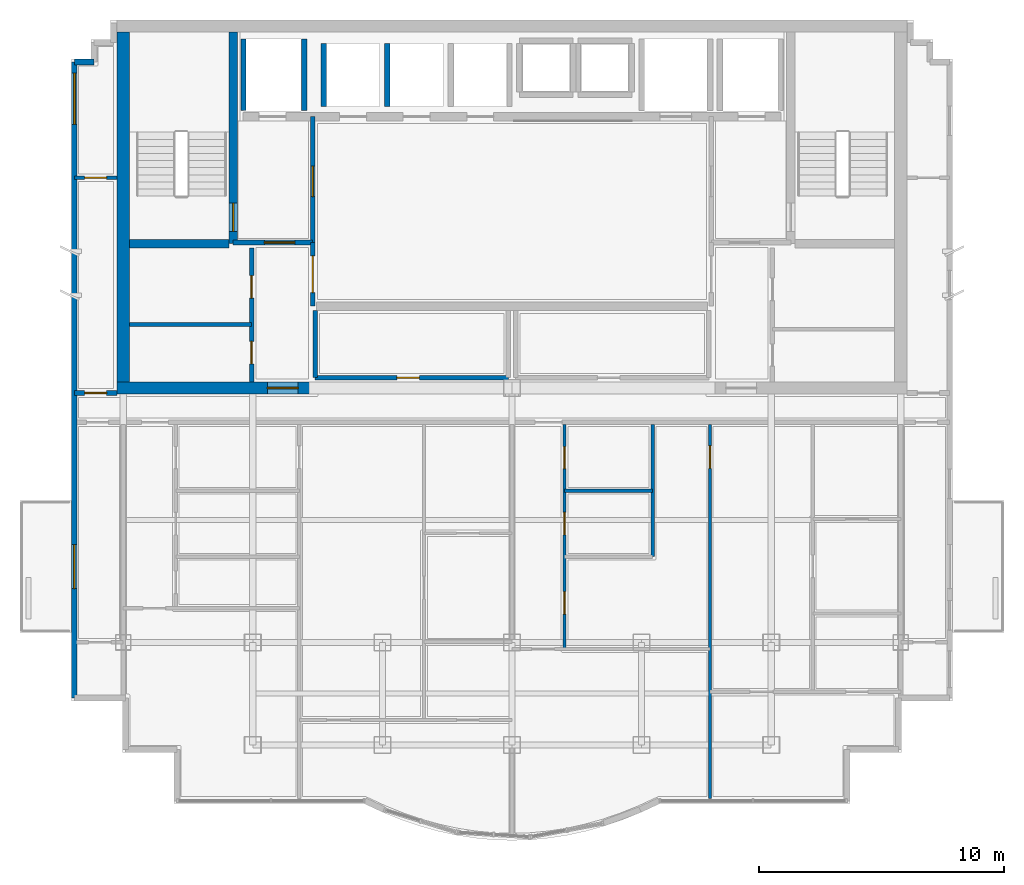
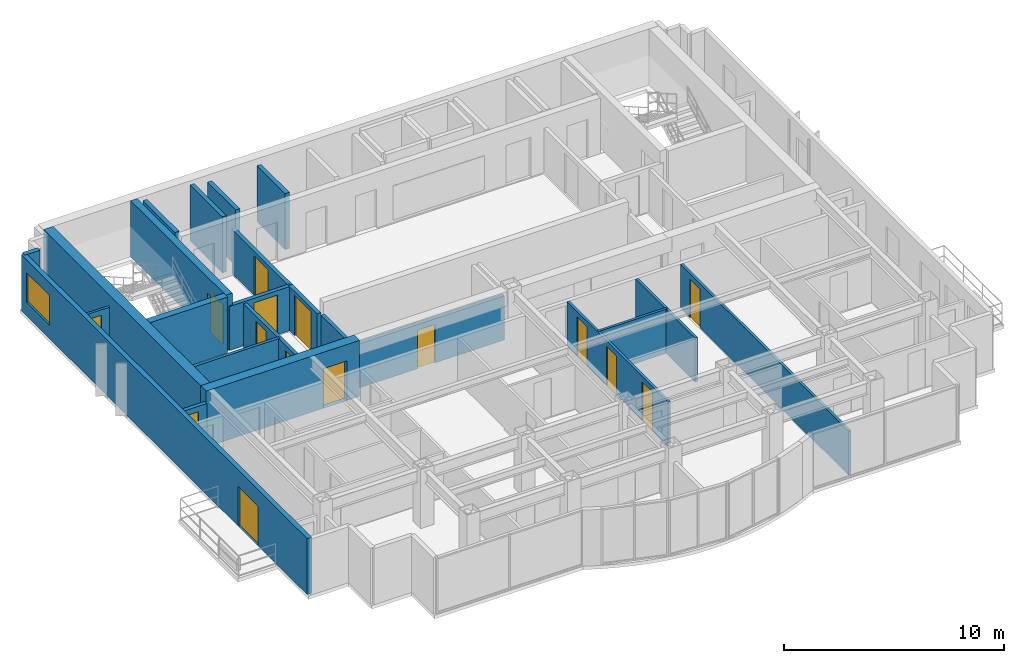
# One storey, part 4 of 9: 23 walls, 15 doors, 1 window, 16 openings.
"""IFC4 building model written with IfcOpenShell, lengths in metres."""

import ifcopenshell
import ifcopenshell.guid

model = None  # the IFC model being written
_history = None  # IfcOwnerHistory: only IFC2X3 demands one
_inside = {}  # id of a spatial element -> (the spatial element, [elements in it])
_under = {}  # id of a project, library or spatial element -> (it, [spatial elements below it])
_declared = {}  # id of a project -> (the project, [libraries it declares])
_typed = {}  # id of a type object -> (the type object, [elements of that type])
_made_of = {}  # id of a material, layer set ... -> (it, [elements and type objects made of it])


def new_model(schema):
    """Start an empty IFC model of exactly this schema.

    Asked for "IFC4X3", IfcOpenShell would pick the latest addendum, in which some entities
    have other attributes; the version numbers below select the first issue.
    IFC2X3 requires an IfcOwnerHistory on every rooted entity: one is made here for all.
    """
    global model, _history
    if schema == "IFC4X3":
        model = ifcopenshell.file(schema_version=(4, 3, 0, 0))
    else:
        model = ifcopenshell.file(schema=schema)
    _inside.clear()
    _under.clear()
    _declared.clear()
    _typed.clear()
    _made_of.clear()
    _history = None
    if model.schema == "IFC2X3":
        org = make("IfcOrganization", Name="unknown")
        user = make(
            "IfcPersonAndOrganization",
            ThePerson=make("IfcPerson", FamilyName="unknown"),
            TheOrganization=org,
        )
        app = make(
            "IfcApplication",
            ApplicationDeveloper=org,
            Version="unknown",
            ApplicationFullName="unknown",
            ApplicationIdentifier="unknown",
        )
        _history = make(
            "IfcOwnerHistory",
            OwningUser=user,
            OwningApplication=app,
            ChangeAction="ADDED",
            CreationDate=0,
        )
    return model


def make(cls, **values):
    """One entity of the class cls with the attributes given. An attribute that is None is left unset."""
    return model.create_entity(
        cls, **{name: value for name, value in values.items() if value is not None}
    )


def rooted(cls, **values):
    """An entity with a GlobalId (a new one), such as an element, a storey or a relation."""
    return make(cls, GlobalId=ifcopenshell.guid.new(), OwnerHistory=_history, **values)


def si_unit(unit_type, name, prefix=None):
    """IfcSIUnit, for example si_unit("LENGTHUNIT", "METRE", prefix="MILLI")."""
    return make("IfcSIUnit", UnitType=unit_type, Prefix=prefix, Name=name)


def assignment(units):
    """IfcUnitAssignment: the units of a project."""
    return None if units is None else make("IfcUnitAssignment", Units=units)


def point(xyz):
    """IfcCartesianPoint."""
    return None if xyz is None else make("IfcCartesianPoint", Coordinates=xyz)


def direction(xyz):
    """IfcDirection."""
    return None if xyz is None else make("IfcDirection", DirectionRatios=xyz)


def frame(location, z_axis=None, x_axis=None):
    """IfcAxis2Placement3D, a coordinate frame: its origin and axes. An axis left out is left unset."""
    return make(
        "IfcAxis2Placement3D",
        Location=point(location),
        Axis=direction(z_axis),
        RefDirection=direction(x_axis),
    )


def frame_2d(location, x_axis=None):
    """IfcAxis2Placement2D, a coordinate frame in the plane: its origin and x axis."""
    return make(
        "IfcAxis2Placement2D", Location=point(location), RefDirection=direction(x_axis)
    )


def origin():
    """The frame at (0, 0, 0) with its axes left unset."""
    return frame((0.0, 0.0, 0.0))


def place(relative_to, where):
    """IfcLocalPlacement: puts the frame where relative to a parent placement (None: the world)."""
    return make(
        "IfcLocalPlacement", PlacementRelTo=relative_to, RelativePlacement=where
    )


def context(
    kind, dimensions, precision=None, world=None, true_north=None, identifier=None
):
    """IfcGeometricRepresentationContext, for example the 3D "Model" context."""
    return make(
        "IfcGeometricRepresentationContext",
        ContextIdentifier=identifier,
        ContextType=kind,
        CoordinateSpaceDimension=dimensions,
        Precision=precision,
        WorldCoordinateSystem=world,
        TrueNorth=true_north,
    )


def subcontext(parent, identifier, kind, view, scale=None):
    """IfcGeometricRepresentationSubContext, for example "Body" below "Model"."""
    return make(
        "IfcGeometricRepresentationSubContext",
        ContextIdentifier=identifier,
        ContextType=kind,
        ParentContext=parent,
        TargetScale=scale,
        TargetView=view,
    )


def project(units=None, contexts=None):
    """IfcProject with its units and contexts."""
    return rooted(
        "IfcProject",
        Name="project",
        RepresentationContexts=contexts,
        UnitsInContext=assignment(units),
    )


def spatial(cls, under=None, at=None, **own):
    """A site, building, storey or space (cls), placed at a placement, below another one or the project."""
    s = rooted(cls, ObjectPlacement=at, **own)
    if under is not None:
        _under.setdefault(under.id(), (under, []))[1].append(s)
    return s


def profile(cls, at=None, kind="AREA", **sizes):
    """A parametric profile (cls). Its sizes go by their IFC names, for example OverallWidth=200.0."""
    return make(cls, ProfileType=kind, Position=at, **sizes)


def rectangle(**sizes):
    """IfcRectangleProfileDef."""
    return profile("IfcRectangleProfileDef", **sizes)


def extrude(swept, where, along, depth):
    """IfcExtrudedAreaSolid: the profile swept, set in the frame where, extruded along a direction by depth."""
    return make(
        "IfcExtrudedAreaSolid",
        SweptArea=swept,
        Position=where,
        ExtrudedDirection=direction(along),
        Depth=depth,
    )


def shape(context_of_items, identifier, shape_type, items):
    """IfcShapeRepresentation: the items that make up one representation, for example the "Body"."""
    return make(
        "IfcShapeRepresentation",
        ContextOfItems=context_of_items,
        RepresentationIdentifier=identifier,
        RepresentationType=shape_type,
        Items=items,
    )


def material(Name=None, Category=None):
    """IfcMaterial."""
    return make("IfcMaterial", Name=Name, Category=Category)


def layer(
    of_material, thickness, ventilated=None, Name=None, Category=None, Priority=None
):
    """IfcMaterialLayer: one layer of a wall or slab, of a material (None: an air gap)."""
    return make(
        "IfcMaterialLayer",
        Material=of_material,
        LayerThickness=thickness,
        IsVentilated=ventilated,
        Name=Name,
        Category=Category,
        Priority=Priority,
    )


def layer_set(layers, Name=None):
    """IfcMaterialLayerSet."""
    return make("IfcMaterialLayerSet", MaterialLayers=layers, LayerSetName=Name)


def made_of(thing, what):
    """Note that an element or type object is made of a material, layer set ...; save() writes the relation."""
    if what is not None:
        _made_of.setdefault(what.id(), (what, []))[1].append(thing)
    return thing


def type_object(cls, material=None, **own):
    """A type object (cls), such as IfcWallType, which elements share."""
    return made_of(rooted(cls, **own), material)


def element(
    cls,
    number,
    at=None,
    inside=None,
    cuts=None,
    type_object=None,
    material=None,
    context=None,
    identifier="Body",
    shape_type=None,
    held_by="IfcProductDefinitionShape",
    body=None,
    shapes=None,
    **own,
):
    """One element of the class cls, such as IfcWall. Its Tag is "e" and its number.

    at: its placement. inside: the storey or other place that contains it. cuts: it is an
    opening in that element (IfcRelVoidsElement). A single representation is given by context,
    identifier, shape_type and body (its items); several are given by shapes. held_by: the class
    of the entity that holds the representations. save() writes the other relations.
    """
    e = rooted(cls, Tag="e%d" % number, ObjectPlacement=at, **own)
    if body is not None:
        shapes = [shape(context, identifier, shape_type, body)]
    if shapes is not None:
        e.Representation = make(held_by, Representations=shapes)
    if inside is not None:
        _inside.setdefault(inside.id(), (inside, []))[1].append(e)
    if cuts is not None:
        rooted(
            "IfcRelVoidsElement", RelatingBuildingElement=cuts, RelatedOpeningElement=e
        )
    if type_object is not None:
        _typed.setdefault(type_object.id(), (type_object, []))[1].append(e)
    return made_of(e, material)


def fill(opening, filler):
    """IfcRelFillsElement: the door or window that sits in an opening."""
    return rooted(
        "IfcRelFillsElement",
        RelatingOpeningElement=opening,
        RelatedBuildingElement=filler,
    )


def aggregate(whole, parts):
    """IfcRelAggregates: a whole, such as a stair, and the parts it consists of."""
    return rooted("IfcRelAggregates", RelatingObject=whole, RelatedObjects=parts)


def save(model, path):
    """Write the relations noted so far, then the file.

    IfcRelAggregates (storeys below a building ...), IfcRelContainedInSpatialStructure (elements
    in a storey), IfcRelDefinesByType, IfcRelAssociatesMaterial and IfcRelDeclares: one each for
    every whole, place, type object, material and project.
    """
    for whole, parts in _under.values():
        aggregate(whole, parts)
    for where, things in _inside.values():
        rooted(
            "IfcRelContainedInSpatialStructure",
            RelatedElements=things,
            RelatingStructure=where,
        )
    for kind, things in _typed.values():
        rooted("IfcRelDefinesByType", RelatedObjects=things, RelatingType=kind)
    for what, things in _made_of.values():
        rooted("IfcRelAssociatesMaterial", RelatedObjects=things, RelatingMaterial=what)
    for by, libraries in _declared.values():
        rooted("IfcRelDeclares", RelatingContext=by, RelatedDefinitions=libraries)
    model.write(path)


model = new_model("IFC4")

# Units and contexts
model_context = context("Model", 3, precision=1e-05, world=origin(), true_north=direction((0.0, 1.0)))
body_context = subcontext(model_context, "Body", "Model", "MODEL_VIEW")
ifc_project = project(units=[si_unit("LENGTHUNIT", "METRE"), si_unit("AREAUNIT", "SQUARE_METRE"), si_unit("VOLUMEUNIT", "CUBIC_METRE"), si_unit("PLANEANGLEUNIT", "RADIAN"), si_unit("MASSUNIT", "GRAM", prefix="KILO")], contexts=[model_context])

# Site, building, storey
site_placement = place(None, origin())
site = spatial("IfcSite", under=ifc_project, at=site_placement, CompositionType="ELEMENT")
building_placement = place(site_placement, origin())
building = spatial("IfcBuilding", under=site, at=building_placement, Name="Qianlan Lanfeng Residences", CompositionType="ELEMENT")
storey_placement = place(building_placement, frame((0.0, 0.0, 249.5)))
storey = spatial("IfcBuildingStorey", under=building, at=storey_placement, Name="L69", CompositionType="ELEMENT", Elevation=249.5)

# Wall, opening, door
ifc_material_1 = material(Name="Concrete C49", Category="concrete")
ifc_layer_1 = layer(ifc_material_1, 0.35009765625)
ifc_layer_set_1 = layer_set([ifc_layer_1], Name="Concrete C49")
wall_type_1 = type_object("IfcWallType", Name="CW-RC-350", PredefinedType="SHEAR", material=ifc_layer_set_1)
wall_1_placement = place(storey_placement, frame((15.10009765625, 31.10009765625, 0.0), z_axis=(0.0, 0.0, 1.0), x_axis=(0.0, 1.0, 0.0)))
wall_1 = element("IfcWall", 1, at=wall_1_placement, inside=storey, type_object=wall_type_1, Name="L69 Core Shear Wall ST1E", PredefinedType="SHEAR", context=body_context, shape_type="SweptSolid", body=[
    extrude(rectangle(XDim=8.64990234375, YDim=0.35009765625, at=frame_2d((4.324951171875, 0.0))), origin(), (0.0, 0.0, 1.0), 3.110107421875),
])
opening_1_placement = place(wall_1_placement, frame((0.510009765625, 0.0, 0.0)))
opening_1 = element("IfcOpeningElement", 2, at=opening_1_placement, cuts=wall_1, Name="Opening L69-D07", PredefinedType="OPENING", context=body_context, shape_type="SweptSolid", body=[
    extrude(rectangle(XDim=1.14990234375, YDim=2.199951171875, at=frame_2d((0.574951171875, 1.10009765625))), frame((0.0, 0.18505859375, 0.0), z_axis=(0.0, -1.0, 0.0), x_axis=(1.0, 0.0, 0.0)), (0.0, 0.0, 1.0), 0.3701171875),
])
ifc_material_2 = material(Name="Painted Galvanised Steel Fire Door", Category="steel")
door_type_1 = type_object("IfcDoorType", Name="DT-ST1", OperationType="NOTDEFINED", PredefinedType="DOOR", material=ifc_material_2)
door_1_placement = place(opening_1_placement, frame((1.14990234375, 0.0, 0.0), z_axis=(0.0, 0.0, 1.0), x_axis=(-1.0, 0.0, 0.0)))
door_1 = element("IfcDoor", 3, at=door_1_placement, inside=storey, type_object=door_type_1, Name="L69 Exit Stair ST-1 Door L69-D07 (DT-ST1)", OperationType="SINGLE_SWING_RIGHT", OverallHeight=2.199951171875, OverallWidth=1.14990234375, PredefinedType="DOOR", context=body_context, shape_type="SweptSolid", body=[
    extrude(rectangle(XDim=1.14990234375, YDim=2.199951171875, at=frame_2d((0.574951171875, 1.10009765625))), frame((0.0, 0.02490234375, 0.0), z_axis=(0.0, -1.0, 0.0), x_axis=(1.0, 0.0, 0.0)), (0.0, 0.0, 1.0), 0.050048828125),
])
fill(opening_1, door_1)

# Walls
wall_2_placement = place(storey_placement, frame((10.85009765625, 31.10009765625, 0.0), z_axis=(0.0, 0.0, 1.0), x_axis=(1.0, 0.0, 0.0)))
element("IfcWall", 4, at=wall_2_placement, inside=storey, type_object=wall_type_1, Name="L69 Core Shear Wall ST1S", PredefinedType="SHEAR", context=body_context, shape_type="SweptSolid", body=[
    extrude(rectangle(XDim=4.074951171875, YDim=0.35009765625, at=frame_2d((2.03759765625, 0.0))), origin(), (0.0, 0.0, 1.0), 3.110107421875),
])
ifc_material_3 = material(Name="Concrete C70", Category="concrete")
ifc_layer_2 = layer(ifc_material_3, 0.5)
ifc_layer_set_2 = layer_set([ifc_layer_2], Name="Concrete C70")
wall_type_2 = type_object("IfcWallType", Name="CW-RC-500", PredefinedType="SHEAR", material=ifc_layer_set_2)
wall_3_placement = place(storey_placement, frame((10.60009765625, 25.449951171875, 0.0), z_axis=(0.0, 0.0, 1.0), x_axis=(0.0, 1.0, 0.0)))
element("IfcWall", 5, at=wall_3_placement, inside=storey, type_object=wall_type_2, Name="L69 Core Shear Wall W", PredefinedType="SHEAR", context=body_context, shape_type="SweptSolid", body=[
    extrude(rectangle(XDim=14.300048828125, YDim=0.5, at=frame_2d((7.14990234375, 0.0))), origin(), (0.0, 0.0, 1.0), 3.110107421875),
])

# Wall, opening, door
wall_4_placement = place(storey_placement, frame((10.35009765625, 25.199951171875, 0.0), z_axis=(0.0, 0.0, 1.0), x_axis=(1.0, 0.0, 0.0)))
wall_4 = element("IfcWall", 6, at=wall_4_placement, inside=storey, type_object=wall_type_2, Name="L69 Core Shear Wall SW", PredefinedType="SHEAR", context=body_context, shape_type="SweptSolid", body=[
    extrude(rectangle(XDim=8.0498046875, YDim=0.5, at=frame_2d((4.02490234375, 0.0))), origin(), (0.0, 0.0, 1.0), 3.110107421875),
])
opening_2_placement = place(wall_4_placement, frame((6.14990234375, 0.0, 0.0)))
opening_2 = element("IfcOpeningElement", 7, at=opening_2_placement, cuts=wall_4, Name="Opening L69-D01", PredefinedType="OPENING", context=body_context, shape_type="SweptSolid", body=[
    extrude(rectangle(XDim=1.25, YDim=2.199951171875, at=frame_2d((0.625, 1.10009765625))), frame((0.0, 0.260009765625, 0.0), z_axis=(0.0, -1.0, 0.0), x_axis=(1.0, 0.0, 0.0)), (0.0, 0.0, 1.0), 0.52001953125),
])
door_type_2 = type_object("IfcDoorType", Name="DT-FFL", OperationType="NOTDEFINED", PredefinedType="DOOR", material=ifc_material_2)
door_2_placement = place(opening_2_placement, frame((1.25, 0.0, 0.0), z_axis=(0.0, 0.0, 1.0), x_axis=(-1.0, 0.0, 0.0)))
door_2 = element("IfcDoor", 8, at=door_2_placement, inside=storey, type_object=door_type_2, Name="L69 West Core Lobby Smoke Door L69-D01 (DT-FFL)", OperationType="SINGLE_SWING_RIGHT", OverallHeight=2.199951171875, OverallWidth=1.25, PredefinedType="DOOR", context=body_context, shape_type="SweptSolid", body=[
    extrude(rectangle(XDim=1.25, YDim=2.199951171875, at=frame_2d((0.625, 1.10009765625))), frame((0.0, 0.02490234375, 0.0), z_axis=(0.0, -1.0, 0.0), x_axis=(1.0, 0.0, 0.0)), (0.0, 0.0, 1.0), 0.050048828125),
])
fill(opening_2, door_2)

# Wall
ifc_material_4 = material(Name="Concrete C42", Category="concrete")
ifc_layer_3 = layer(ifc_material_4, 0.239990234375)
ifc_layer_set_3 = layer_set([ifc_layer_3], Name="Concrete C42")
wall_type_3 = type_object("IfcWallType", Name="EW-240", PredefinedType="SOLIDWALL", material=ifc_layer_set_3)
wall_5_placement = place(storey_placement, frame((9.39990234375, 38.530029296875, 0.0), z_axis=(0.0, 0.0, 1.0), x_axis=(-1.0, 0.0, 0.0)))
element("IfcWall", 9, at=wall_5_placement, inside=storey, type_object=wall_type_3, Name="L69 Exterior Facade Spandrel Wall 20", PredefinedType="SOLIDWALL", context=body_context, shape_type="SweptSolid", body=[
    extrude(rectangle(XDim=0.7998046875, YDim=0.239990234375, at=frame_2d((0.39990234375, 0.0))), origin(), (0.0, 0.0, 1.0), 3.110107421875),
])

# Wall, openings, door, window
wall_6_placement = place(storey_placement, frame((8.60009765625, 38.530029296875, 0.0), z_axis=(0.0, 0.0, 1.0), x_axis=(0.0, -1.0, 0.0)))
wall_6 = element("IfcWall", 10, at=wall_6_placement, inside=storey, type_object=wall_type_3, Name="L69 Terrace/Balcony Access Exterior Wall 21", PredefinedType="SOLIDWALL", context=body_context, shape_type="SweptSolid", body=[
    extrude(rectangle(XDim=26.010009765625, YDim=0.239990234375, at=frame_2d((13.0048828125, 0.0))), origin(), (0.0, 0.0, 1.0), 3.110107421875),
])
opening_3_placement = place(wall_6_placement, frame((19.72998046875, 0.0, 0.0)))
opening_3 = element("IfcOpeningElement", 11, at=opening_3_placement, cuts=wall_6, Name="Opening L69-D-WB-S", PredefinedType="OPENING", context=body_context, shape_type="SweptSolid", body=[
    extrude(rectangle(XDim=1.800048828125, YDim=2.199951171875, at=frame_2d((0.89990234375, 1.10009765625))), frame((0.0, 0.1298828125, 0.0), z_axis=(0.0, -1.0, 0.0), x_axis=(1.0, 0.0, 0.0)), (0.0, 0.0, 1.0), 0.260009765625),
])
opening_4_placement = place(wall_6_placement, frame((0.449951171875, 0.0, 0.75)))
opening_4 = element("IfcOpeningElement", 12, at=opening_4_placement, cuts=wall_6, Name="Opening W-06", PredefinedType="OPENING", context=body_context, shape_type="SweptSolid", body=[
    extrude(rectangle(XDim=2.10009765625, YDim=1.64990234375, at=frame_2d((1.050048828125, 0.824951171875))), frame((0.0, 0.1298828125, 0.0), z_axis=(0.0, -1.0, 0.0), x_axis=(1.0, 0.0, 0.0)), (0.0, 0.0, 1.0), 0.260009765625),
])
ifc_material_5 = material(Name="Anodised Bronze Aluminium Framed Glass", Category="aluminium")
door_type_3 = type_object("IfcDoorType", Name="DT-BAL1", OperationType="NOTDEFINED", PredefinedType="DOOR", material=ifc_material_5)
door_3_placement = place(opening_3_placement, frame((1.800048828125, 0.0, 0.0), z_axis=(0.0, 0.0, 1.0), x_axis=(-1.0, 0.0, 0.0)))
door_3 = element("IfcDoor", 13, at=door_3_placement, inside=storey, type_object=door_type_3, Name="L69 Exterior Access Door WB-S", OperationType="DOUBLE_DOOR_SLIDING", OverallHeight=2.199951171875, OverallWidth=1.800048828125, PredefinedType="DOOR", context=body_context, shape_type="SweptSolid", body=[
    extrude(rectangle(XDim=1.800048828125, YDim=2.199951171875, at=frame_2d((0.89990234375, 1.10009765625))), frame((0.0, 0.02490234375, 0.0), z_axis=(0.0, -1.0, 0.0), x_axis=(1.0, 0.0, 0.0)), (0.0, 0.0, 1.0), 0.050048828125),
])
fill(opening_3, door_3)
ifc_material_6 = material(Name="Anodised Bronze Aluminium Framed Double Glazing", Category="aluminium")
window_type = type_object("IfcWindowType", Name="W-06", PartitioningType="SINGLE_PANEL", PredefinedType="WINDOW", material=ifc_material_6)
window_placement = place(opening_4_placement, origin())
window = element("IfcWindow", 14, at=window_placement, inside=storey, type_object=window_type, Name="L69 Exterior Window W-06", OverallHeight=1.64990234375, OverallWidth=2.10009765625, PartitioningType="SINGLE_PANEL", PredefinedType="WINDOW", context=body_context, shape_type="SweptSolid", body=[
    extrude(rectangle(XDim=2.10009765625, YDim=1.64990234375, at=frame_2d((1.050048828125, 0.824951171875))), frame((0.0, 0.030029296875, 0.0), z_axis=(0.0, -1.0, 0.0), x_axis=(1.0, 0.0, 0.0)), (0.0, 0.0, 1.0), 0.06005859375),
])
fill(opening_4, window)

# Wall, opening, door
ifc_material_7 = material(Name="Moisture-Resistant Gypsum Partition 135 mm")
ifc_layer_4 = layer(ifc_material_7, 0.135009765625)
ifc_layer_set_4 = layer_set([ifc_layer_4], Name="Moisture-Resistant Gypsum Partition 135 mm")
wall_type_4 = type_object("IfcWallType", Name="PW-135", PredefinedType="PARTITIONING", material=ifc_layer_set_4)
wall_7_placement = place(storey_placement, frame((34.60009765625, 8.419921875, 0.0), z_axis=(0.0, 0.0, 1.0), x_axis=(0.0, 1.0, 0.0)))
wall_7 = element("IfcWall", 15, at=wall_7_placement, inside=storey, type_object=wall_type_4, Name="L69 U02 Bay Spine Wall 1", PredefinedType="PARTITIONING", context=body_context, shape_type="SweptSolid", body=[
    extrude(rectangle(XDim=15.280029296875, YDim=0.135009765625, at=frame_2d((7.64013671875, 0.0))), origin(), (0.0, 0.0, 1.0), 2.449951171875),
])
opening_5_placement = place(wall_7_placement, frame((13.4951171875, 0.0, 0.0)))
opening_5 = element("IfcOpeningElement", 16, at=opening_5_placement, cuts=wall_7, Name="Opening L69-D28", PredefinedType="OPENING", context=body_context, shape_type="SweptSolid", body=[
    extrude(rectangle(XDim=0.919921875, YDim=2.14990234375, at=frame_2d((0.4599609375, 1.074951171875))), frame((0.0, 0.07763671875, 0.0), z_axis=(0.0, -1.0, 0.0), x_axis=(1.0, 0.0, 0.0)), (0.0, 0.0, 1.0), 0.155029296875),
])
ifc_material_8 = material(Name="Glazed Timber Kitchen/Study Door", Category="wood")
door_type_4 = type_object("IfcDoorType", Name="DT-INT", OperationType="NOTDEFINED", PredefinedType="DOOR", material=ifc_material_8)
door_4_placement = place(opening_5_placement, origin())
door_4 = element("IfcDoor", 17, at=door_4_placement, inside=storey, type_object=door_type_4, Name="L69 U02 Internal Hall Door L69-D28 (DT-INT)", OperationType="SINGLE_SWING_RIGHT", OverallHeight=2.14990234375, OverallWidth=0.919921875, PredefinedType="DOOR", context=body_context, shape_type="SweptSolid", body=[
    extrude(rectangle(XDim=0.919921875, YDim=2.14990234375, at=frame_2d((0.4599609375, 1.074951171875))), frame((0.0, 0.02490234375, 0.0), z_axis=(0.0, -1.0, 0.0), x_axis=(1.0, 0.0, 0.0)), (0.0, 0.0, 1.0), 0.050048828125),
])
fill(opening_5, door_4)

# Wall, openings, doors
wall_8_placement = place(storey_placement, frame((28.64990234375, 14.52587890625, 0.0), z_axis=(0.0, 0.0, 1.0), x_axis=(0.0, 1.0, 0.0)))
wall_8 = element("IfcWall", 18, at=wall_8_placement, inside=storey, type_object=wall_type_4, Name="L69 U02 Entry Hall Spine", PredefinedType="PARTITIONING", context=body_context, shape_type="SweptSolid", body=[
    extrude(rectangle(XDim=9.174072265625, YDim=0.135009765625, at=frame_2d((4.5869140625, 0.0))), origin(), (0.0, 0.0, 1.0), 2.449951171875),
])
opening_6_placement = place(wall_8_placement, frame((1.427001953125, 0.0, 0.0)))
opening_6 = element("IfcOpeningElement", 19, at=opening_6_placement, cuts=wall_8, Name="Opening L69-D30", PredefinedType="OPENING", context=body_context, shape_type="SweptSolid", body=[
    extrude(rectangle(XDim=0.919921875, YDim=2.14990234375, at=frame_2d((0.4599609375, 1.074951171875))), frame((0.0, 0.07763671875, 0.0), z_axis=(0.0, -1.0, 0.0), x_axis=(1.0, 0.0, 0.0)), (0.0, 0.0, 1.0), 0.155029296875),
])
opening_7_placement = place(wall_8_placement, frame((4.6640625, 0.0, 0.0)))
opening_7 = element("IfcOpeningElement", 20, at=opening_7_placement, cuts=wall_8, Name="Opening L69-D31", PredefinedType="OPENING", context=body_context, shape_type="SweptSolid", body=[
    extrude(rectangle(XDim=0.919921875, YDim=2.14990234375, at=frame_2d((0.4599609375, 1.074951171875))), frame((0.0, 0.07763671875, 0.0), z_axis=(0.0, -1.0, 0.0), x_axis=(1.0, 0.0, 0.0)), (0.0, 0.0, 1.0), 0.155029296875),
])
opening_8_placement = place(wall_8_placement, frame((7.3740234375, 0.0, 0.0)))
opening_8 = element("IfcOpeningElement", 21, at=opening_8_placement, cuts=wall_8, Name="Opening L69-D32", PredefinedType="OPENING", context=body_context, shape_type="SweptSolid", body=[
    extrude(rectangle(XDim=0.89990234375, YDim=2.14990234375, at=frame_2d((0.449951171875, 1.074951171875))), frame((0.0, 0.07763671875, 0.0), z_axis=(0.0, -1.0, 0.0), x_axis=(1.0, 0.0, 0.0)), (0.0, 0.0, 1.0), 0.155029296875),
])
door_5_placement = place(opening_6_placement, origin())
door_5 = element("IfcDoor", 22, at=door_5_placement, inside=storey, type_object=door_type_4, Name="L69 U02 Study Door L69-D30 (DT-INT)", OperationType="SINGLE_SWING_RIGHT", OverallHeight=2.14990234375, OverallWidth=0.919921875, PredefinedType="DOOR", context=body_context, shape_type="SweptSolid", body=[
    extrude(rectangle(XDim=0.919921875, YDim=2.14990234375, at=frame_2d((0.4599609375, 1.074951171875))), frame((0.0, 0.02490234375, 0.0), z_axis=(0.0, -1.0, 0.0), x_axis=(1.0, 0.0, 0.0)), (0.0, 0.0, 1.0), 0.050048828125),
])
fill(opening_6, door_5)
door_6_placement = place(opening_7_placement, origin())
door_6 = element("IfcDoor", 23, at=door_6_placement, inside=storey, type_object=door_type_4, Name="L69 U02 Kitchen Door L69-D31 (DT-INT)", OperationType="SINGLE_SWING_LEFT", OverallHeight=2.14990234375, OverallWidth=0.919921875, PredefinedType="DOOR", context=body_context, shape_type="SweptSolid", body=[
    extrude(rectangle(XDim=0.919921875, YDim=2.14990234375, at=frame_2d((0.4599609375, 1.074951171875))), frame((0.0, 0.02490234375, 0.0), z_axis=(0.0, -1.0, 0.0), x_axis=(1.0, 0.0, 0.0)), (0.0, 0.0, 1.0), 0.050048828125),
])
fill(opening_7, door_6)
ifc_material_9 = material(Name="Moisture-Resistant Timber Leaf", Category="wood")
door_type_5 = type_object("IfcDoorType", Name="DT-WC", OperationType="NOTDEFINED", PredefinedType="DOOR", material=ifc_material_9)
door_7_placement = place(opening_8_placement, origin())
door_7 = element("IfcDoor", 24, at=door_7_placement, inside=storey, type_object=door_type_5, Name="L69 U02 Bathroom Door L69-D32 (DT-WC)", OperationType="SINGLE_SWING_RIGHT", OverallHeight=2.14990234375, OverallWidth=0.89990234375, PredefinedType="DOOR", context=body_context, shape_type="SweptSolid", body=[
    extrude(rectangle(XDim=0.89990234375, YDim=2.14990234375, at=frame_2d((0.449951171875, 1.074951171875))), frame((0.0, 0.02490234375, 0.0), z_axis=(0.0, -1.0, 0.0), x_axis=(1.0, 0.0, 0.0)), (0.0, 0.0, 1.0), 0.050048828125),
])
fill(opening_8, door_7)

# Walls
wall_9_placement = place(storey_placement, frame((32.25, 18.300048828125, 0.0), z_axis=(0.0, 0.0, 1.0), x_axis=(0.0, 1.0, 0.0)))
element("IfcWall", 25, at=wall_9_placement, inside=storey, type_object=wall_type_4, Name="L69 U02 Dining East Wall", PredefinedType="PARTITIONING", context=body_context, shape_type="SweptSolid", body=[
    extrude(rectangle(XDim=5.39990234375, YDim=0.135009765625, at=frame_2d((2.699951171875, 0.0))), origin(), (0.0, 0.0, 1.0), 2.449951171875),
])
wall_10_placement = place(storey_placement, frame((28.64990234375, 21.0, 0.0), z_axis=(0.0, 0.0, 1.0), x_axis=(1.0, 0.0, 0.0)))
element("IfcWall", 26, at=wall_10_placement, inside=storey, type_object=wall_type_4, Name="L69 U02 Bathroom South Wall", PredefinedType="PARTITIONING", context=body_context, shape_type="SweptSolid", body=[
    extrude(rectangle(XDim=3.60009765625, YDim=0.135009765625, at=frame_2d((1.800048828125, 0.0))), origin(), (0.0, 0.0, 1.0), 2.449951171875),
])

# Wall, opening, door
wall_11_placement = place(storey_placement, frame((8.60009765625, 33.800048828125, 0.0), z_axis=(0.0, 0.0, 1.0), x_axis=(1.0, 0.0, 0.0)))
wall_11 = element("IfcWall", 27, at=wall_11_placement, inside=storey, type_object=wall_type_4, Name="L69 WW North Wing Wall", PredefinedType="PARTITIONING", context=body_context, shape_type="SweptSolid", body=[
    extrude(rectangle(XDim=1.75, YDim=0.135009765625, at=frame_2d((0.875, 0.0))), origin(), (0.0, 0.0, 1.0), 2.449951171875),
])
opening_9_placement = place(wall_11_placement, frame((0.425048828125, 0.0, 0.0)))
opening_9 = element("IfcOpeningElement", 28, at=opening_9_placement, cuts=wall_11, Name="Opening L69-D41", PredefinedType="OPENING", context=body_context, shape_type="SweptSolid", body=[
    extrude(rectangle(XDim=0.89990234375, YDim=2.14990234375, at=frame_2d((0.449951171875, 1.074951171875))), frame((0.0, 0.07763671875, 0.0), z_axis=(0.0, -1.0, 0.0), x_axis=(1.0, 0.0, 0.0)), (0.0, 0.0, 1.0), 0.155029296875),
])
door_8_placement = place(opening_9_placement, origin())
door_8 = element("IfcDoor", 29, at=door_8_placement, inside=storey, type_object=door_type_5, Name="L69 WW Inner Salon Door L69-D41 (DT-WC)", OperationType="SINGLE_SWING_LEFT", OverallHeight=2.14990234375, OverallWidth=0.89990234375, PredefinedType="DOOR", context=body_context, shape_type="SweptSolid", body=[
    extrude(rectangle(XDim=0.89990234375, YDim=2.14990234375, at=frame_2d((0.449951171875, 1.074951171875))), frame((0.0, 0.02490234375, 0.0), z_axis=(0.0, -1.0, 0.0), x_axis=(1.0, 0.0, 0.0)), (0.0, 0.0, 1.0), 0.050048828125),
])
fill(opening_9, door_8)

# Wall
ifc_material_10 = material(Name="Acoustic Drywall Partition 150 mm")
ifc_layer_5 = layer(ifc_material_10, 0.14990234375)
ifc_layer_set_5 = layer_set([ifc_layer_5], Name="Acoustic Drywall Partition 150 mm")
wall_type_5 = type_object("IfcWallType", Name="PW-150", PredefinedType="PARTITIONING", material=ifc_layer_set_5)
wall_12_placement = place(storey_placement, frame((10.85009765625, 27.800048828125, 0.0), z_axis=(0.0, 0.0, 1.0), x_axis=(1.0, 0.0, 0.0)))
element("IfcWall", 30, at=wall_12_placement, inside=storey, type_object=wall_type_5, Name="L69 Core West Split", PredefinedType="PARTITIONING", context=body_context, shape_type="SweptSolid", body=[
    extrude(rectangle(XDim=5.0, YDim=0.14990234375, at=frame_2d((2.5, 0.0))), origin(), (0.0, 0.0, 1.0), 2.449951171875),
])

# Wall, openings, doors
ifc_material_11 = material(Name="Double-Layer Acoustic Gypsum Stud Wall 180 mm")
ifc_layer_6 = layer(ifc_material_11, 0.179931640625)
ifc_layer_set_6 = layer_set([ifc_layer_6], Name="Double-Layer Acoustic Gypsum Stud Wall 180 mm")
wall_type_6 = type_object("IfcWallType", Name="PW-180", PredefinedType="PARTITIONING", material=ifc_layer_set_6)
wall_13_placement = place(storey_placement, frame((15.85009765625, 25.449951171875, 0.0), z_axis=(0.0, 0.0, 1.0), x_axis=(0.0, 1.0, 0.0)))
wall_13 = element("IfcWall", 31, at=wall_13_placement, inside=storey, type_object=wall_type_6, Name="L69 Core West Service Room Wall", PredefinedType="PARTITIONING", context=body_context, shape_type="SweptSolid", body=[
    extrude(rectangle(XDim=5.47509765625, YDim=0.179931640625, at=frame_2d((2.737548828125, 0.0))), origin(), (0.0, 0.0, 1.0), 2.449951171875),
])
opening_10_placement = place(wall_13_placement, frame((0.739990234375, 0.0, 0.0)))
opening_10 = element("IfcOpeningElement", 32, at=opening_10_placement, cuts=wall_13, Name="Opening L69-D09", PredefinedType="OPENING", context=body_context, shape_type="SweptSolid", body=[
    extrude(rectangle(XDim=0.919921875, YDim=2.14990234375, at=frame_2d((0.4599609375, 1.074951171875))), frame((0.0, 0.10009765625, 0.0), z_axis=(0.0, -1.0, 0.0), x_axis=(1.0, 0.0, 0.0)), (0.0, 0.0, 1.0), 0.199951171875),
])
opening_11_placement = place(wall_13_placement, frame((3.427001953125, 0.0, 0.0)))
opening_11 = element("IfcOpeningElement", 33, at=opening_11_placement, cuts=wall_13, Name="Opening L69-D10", PredefinedType="OPENING", context=body_context, shape_type="SweptSolid", body=[
    extrude(rectangle(XDim=0.919921875, YDim=2.14990234375, at=frame_2d((0.4599609375, 1.074951171875))), frame((0.0, 0.10009765625, 0.0), z_axis=(0.0, -1.0, 0.0), x_axis=(1.0, 0.0, 0.0)), (0.0, 0.0, 1.0), 0.199951171875),
])
door_9_placement = place(opening_10_placement, origin())
door_9 = element("IfcDoor", 34, at=door_9_placement, inside=storey, type_object=door_type_4, Name="L69 Parcel Room Door L69-D09 (DT-INT)", OperationType="SINGLE_SWING_LEFT", OverallHeight=2.14990234375, OverallWidth=0.919921875, PredefinedType="DOOR", context=body_context, shape_type="SweptSolid", body=[
    extrude(rectangle(XDim=0.919921875, YDim=2.14990234375, at=frame_2d((0.4599609375, 1.074951171875))), frame((0.0, 0.02490234375, 0.0), z_axis=(0.0, -1.0, 0.0), x_axis=(1.0, 0.0, 0.0)), (0.0, 0.0, 1.0), 0.050048828125),
])
fill(opening_10, door_9)
door_10_placement = place(opening_11_placement, origin())
door_10 = element("IfcDoor", 35, at=door_10_placement, inside=storey, type_object=door_type_4, Name="L69 Janitor Closet Door L69-D10 (DT-INT)", OperationType="SINGLE_SWING_RIGHT", OverallHeight=2.14990234375, OverallWidth=0.919921875, PredefinedType="DOOR", context=body_context, shape_type="SweptSolid", body=[
    extrude(rectangle(XDim=0.919921875, YDim=2.14990234375, at=frame_2d((0.4599609375, 1.074951171875))), frame((0.0, 0.02490234375, 0.0), z_axis=(0.0, -1.0, 0.0), x_axis=(1.0, 0.0, 0.0)), (0.0, 0.0, 1.0), 0.050048828125),
])
fill(opening_11, door_10)

# Wall
wall_14_placement = place(storey_placement, frame((18.449951171875, 25.6201171875, 0.0), z_axis=(0.0, 0.0, 1.0), x_axis=(0.0, 1.0, 0.0)))
element("IfcWall", 36, at=wall_14_placement, inside=storey, type_object=wall_type_6, Name="L69 Reclaimed Low-Bank Room West Wall", PredefinedType="PARTITIONING", context=body_context, shape_type="SweptSolid", body=[
    extrude(rectangle(XDim=2.7548828125, YDim=0.179931640625, at=frame_2d((1.37744140625, 0.0))), origin(), (0.0, 0.0, 1.0), 2.449951171875),
])

# Wall, opening, door
wall_15_placement = place(storey_placement, frame((18.449951171875, 25.6201171875, 0.0), z_axis=(0.0, 0.0, 1.0), x_axis=(1.0, 0.0, 0.0)))
wall_15 = element("IfcWall", 37, at=wall_15_placement, inside=storey, type_object=wall_type_6, Name="L69 Reclaimed Low-Bank Room South Wall", PredefinedType="PARTITIONING", context=body_context, shape_type="SweptSolid", body=[
    extrude(rectangle(XDim=7.900146484375, YDim=0.179931640625, at=frame_2d((3.9501953125, 0.0))), origin(), (0.0, 0.0, 1.0), 2.449951171875),
])
opening_12_placement = place(wall_15_placement, frame((3.340087890625, 0.0, 0.0)))
opening_12 = element("IfcOpeningElement", 38, at=opening_12_placement, cuts=wall_15, Name="Opening L69-D15", PredefinedType="OPENING", context=body_context, shape_type="SweptSolid", body=[
    extrude(rectangle(XDim=0.919921875, YDim=2.14990234375, at=frame_2d((0.4599609375, 1.074951171875))), frame((0.0, 0.10009765625, 0.0), z_axis=(0.0, -1.0, 0.0), x_axis=(1.0, 0.0, 0.0)), (0.0, 0.0, 1.0), 0.199951171875),
])
door_11_placement = place(opening_12_placement, origin())
door_11 = element("IfcDoor", 39, at=door_11_placement, inside=storey, type_object=door_type_4, Name="L69 Reclaimed Core Salon Door L69-D15 (DT-INT)", OperationType="SINGLE_SWING_LEFT", OverallHeight=2.14990234375, OverallWidth=0.919921875, PredefinedType="DOOR", context=body_context, shape_type="SweptSolid", body=[
    extrude(rectangle(XDim=0.919921875, YDim=2.14990234375, at=frame_2d((0.4599609375, 1.074951171875))), frame((0.0, 0.02490234375, 0.0), z_axis=(0.0, -1.0, 0.0), x_axis=(1.0, 0.0, 0.0)), (0.0, 0.0, 1.0), 0.050048828125),
])
fill(opening_12, door_11)

ifc_material_12 = material(Name="Autoclaved Aerated Concrete Blockwork 200 mm", Category="masonry")
ifc_layer_7 = layer(ifc_material_12, 0.199951171875)
ifc_layer_set_7 = layer_set([ifc_layer_7], Name="Autoclaved Aerated Concrete Blockwork 200 mm")
wall_type_7 = type_object("IfcWallType", Name="PW-200", PredefinedType="PARTITIONING", material=ifc_layer_set_7)
wall_16_placement = place(storey_placement, frame((15.10009765625, 31.14990234375, 0.0), z_axis=(0.0, 0.0, 1.0), x_axis=(1.0, 0.0, 0.0)))
wall_16 = element("IfcWall", 40, at=wall_16_placement, inside=storey, type_object=wall_type_7, Name="L69 Firefighting Lobby 1 South Wall", PredefinedType="PARTITIONING", context=body_context, shape_type="SweptSolid", body=[
    extrude(rectangle(XDim=3.25, YDim=0.199951171875, at=frame_2d((1.625, 0.0))), origin(), (0.0, 0.0, 1.0), 2.449951171875),
])
opening_13_placement = place(wall_16_placement, frame((1.27490234375, 0.0, 0.0)))
opening_13 = element("IfcOpeningElement", 41, at=opening_13_placement, cuts=wall_16, Name="Opening L69-D03", PredefinedType="OPENING", context=body_context, shape_type="SweptSolid", body=[
    extrude(rectangle(XDim=1.25, YDim=2.199951171875, at=frame_2d((0.625, 1.10009765625))), frame((0.0, 0.10986328125, 0.0), z_axis=(0.0, -1.0, 0.0), x_axis=(1.0, 0.0, 0.0)), (0.0, 0.0, 1.0), 0.219970703125),
])
door_12_placement = place(opening_13_placement, origin())
door_12 = element("IfcDoor", 42, at=door_12_placement, inside=storey, type_object=door_type_2, Name="L69 Firefighting Lobby 1 Entry Door L69-D03 (DT-FFL)", OperationType="SINGLE_SWING_LEFT", OverallHeight=2.199951171875, OverallWidth=1.25, PredefinedType="DOOR", context=body_context, shape_type="SweptSolid", body=[
    extrude(rectangle(XDim=1.25, YDim=2.199951171875, at=frame_2d((0.625, 1.10009765625))), frame((0.0, 0.02490234375, 0.0), z_axis=(0.0, -1.0, 0.0), x_axis=(1.0, 0.0, 0.0)), (0.0, 0.0, 1.0), 0.050048828125),
])
fill(opening_13, door_12)

wall_17_placement = place(storey_placement, frame((18.35009765625, 31.14990234375, 0.0), z_axis=(0.0, 0.0, 1.0), x_axis=(0.0, 1.0, 0.0)))
wall_17 = element("IfcWall", 43, at=wall_17_placement, inside=storey, type_object=wall_type_7, Name="L69 Firefighting Lobby 1 East Wall", PredefinedType="PARTITIONING", context=body_context, shape_type="SweptSolid", body=[
    extrude(rectangle(XDim=5.150146484375, YDim=0.199951171875, at=frame_2d((2.5751953125, 0.0))), origin(), (0.0, 0.0, 1.0), 2.449951171875),
])
opening_14_placement = place(wall_17_placement, frame((1.875, 0.0, 0.0)))
opening_14 = element("IfcOpeningElement", 44, at=opening_14_placement, cuts=wall_17, Name="Opening L69-D04", PredefinedType="OPENING", context=body_context, shape_type="SweptSolid", body=[
    extrude(rectangle(XDim=1.25, YDim=2.199951171875, at=frame_2d((0.625, 1.10009765625))), frame((0.0, 0.10986328125, 0.0), z_axis=(0.0, -1.0, 0.0), x_axis=(1.0, 0.0, 0.0)), (0.0, 0.0, 1.0), 0.219970703125),
])
door_13_placement = place(opening_14_placement, origin())
door_13 = element("IfcDoor", 45, at=door_13_placement, inside=storey, type_object=door_type_2, Name="L69 Firefighting Lobby 1 Lift Lobby Door L69-D04 (DT-FFL)", OperationType="SINGLE_SWING_RIGHT", OverallHeight=2.199951171875, OverallWidth=1.25, PredefinedType="DOOR", context=body_context, shape_type="SweptSolid", body=[
    extrude(rectangle(XDim=1.25, YDim=2.199951171875, at=frame_2d((0.625, 1.10009765625))), frame((0.0, 0.02490234375, 0.0), z_axis=(0.0, -1.0, 0.0), x_axis=(1.0, 0.0, 0.0)), (0.0, 0.0, 1.0), 0.050048828125),
])
fill(opening_14, door_13)

wall_18_placement = place(storey_placement, frame((18.35009765625, 28.550048828125, 0.0), z_axis=(0.0, 0.0, 1.0), x_axis=(0.0, 1.0, 0.0)))
wall_18 = element("IfcWall", 46, at=wall_18_placement, inside=storey, type_object=wall_type_7, Name="L69 Lift Lobby West Connector Wall", PredefinedType="PARTITIONING", context=body_context, shape_type="SweptSolid", body=[
    extrude(rectangle(XDim=2.599853515625, YDim=0.199951171875, at=frame_2d((1.2998046875, 0.0))), origin(), (0.0, 0.0, 1.0), 2.449951171875),
])
opening_15_placement = place(wall_18_placement, frame((0.550048828125, 0.0, 0.0)))
opening_15 = element("IfcOpeningElement", 47, at=opening_15_placement, cuts=wall_18, Name="Opening L69-D13", PredefinedType="OPENING", context=body_context, shape_type="SweptSolid", body=[
    extrude(rectangle(XDim=1.5, YDim=2.25, at=frame_2d((0.75, 1.125))), frame((0.0, 0.10986328125, 0.0), z_axis=(0.0, -1.0, 0.0), x_axis=(1.0, 0.0, 0.0)), (0.0, 0.0, 1.0), 0.219970703125),
])
ifc_material_13 = material(Name="Timber Veneer Acoustic Fire Door", Category="wood")
door_type_6 = type_object("IfcDoorType", Name="DT-COR1", OperationType="NOTDEFINED", PredefinedType="DOOR", material=ifc_material_13)
door_14_placement = place(opening_15_placement, origin())
door_14 = element("IfcDoor", 48, at=door_14_placement, inside=storey, type_object=door_type_6, Name="L69 Lift Lobby West Portal Door L69-D13 (DT-COR1)", OperationType="DOUBLE_DOOR_SINGLE_SWING", OverallHeight=2.25, OverallWidth=1.5, PredefinedType="DOOR", context=body_context, shape_type="SweptSolid", body=[
    extrude(rectangle(XDim=1.5, YDim=2.25, at=frame_2d((0.75, 1.125))), frame((0.0, 0.02490234375, 0.0), z_axis=(0.0, -1.0, 0.0), x_axis=(1.0, 0.0, 0.0)), (0.0, 0.0, 1.0), 0.050048828125),
])
fill(opening_15, door_14)

wall_19_placement = place(storey_placement, frame((8.60009765625, 25.0, 0.0), z_axis=(0.0, 0.0, 1.0), x_axis=(1.0, 0.0, 0.0)))
wall_19 = element("IfcWall", 49, at=wall_19_placement, inside=storey, type_object=wall_type_7, Name="L69 Corridor NW Wall", PredefinedType="PARTITIONING", context=body_context, shape_type="SweptSolid", body=[
    extrude(rectangle(XDim=1.75, YDim=0.199951171875, at=frame_2d((0.875, 0.0))), origin(), (0.0, 0.0, 1.0), 2.449951171875),
])
opening_16_placement = place(wall_19_placement, frame((0.425048828125, 0.0, 0.0)))
opening_16 = element("IfcOpeningElement", 50, at=opening_16_placement, cuts=wall_19, Name="Opening L69-D42", PredefinedType="OPENING", context=body_context, shape_type="SweptSolid", body=[
    extrude(rectangle(XDim=0.89990234375, YDim=2.14990234375, at=frame_2d((0.449951171875, 1.074951171875))), frame((0.0, 0.10986328125, 0.0), z_axis=(0.0, -1.0, 0.0), x_axis=(1.0, 0.0, 0.0)), (0.0, 0.0, 1.0), 0.219970703125),
])
door_15_placement = place(opening_16_placement, frame((0.89990234375, 0.0, 0.0), z_axis=(0.0, 0.0, 1.0), x_axis=(-1.0, 0.0, 0.0)))
door_15 = element("IfcDoor", 51, at=door_15_placement, inside=storey, type_object=door_type_5, Name="L69 WW Amenity Salon Door L69-D42 (DT-WC)", OperationType="SINGLE_SWING_RIGHT", OverallHeight=2.14990234375, OverallWidth=0.89990234375, PredefinedType="DOOR", context=body_context, shape_type="SweptSolid", body=[
    extrude(rectangle(XDim=0.89990234375, YDim=2.14990234375, at=frame_2d((0.449951171875, 1.074951171875))), frame((0.0, 0.02490234375, 0.0), z_axis=(0.0, -1.0, 0.0), x_axis=(1.0, 0.0, 0.0)), (0.0, 0.0, 1.0), 0.050048828125),
])
fill(opening_16, door_15)

# Walls
ifc_layer_8 = layer(ifc_material_1, 0.219970703125)
ifc_layer_set_8 = layer_set([ifc_layer_8], Name="Concrete C49")
wall_type_8 = type_object("IfcWallType", Name="SHW-220", PredefinedType="SOLIDWALL", material=ifc_layer_set_8)
for number, where, z_axis, x_axis, name in (
    (52, (15.52001953125, 36.550048828125, 0.0), (0.0, 0.0, 1.0), (0.0, 1.0, 0.0), "L69 Lift FFL-1 Shaft Wall W"),
    (53, (18.0, 36.550048828125, 0.0), (0.0, 0.0, 1.0), (0.0, 1.0, 0.0), "L69 Lift FFL-1 Shaft Wall E"),
):
    element("IfcWall", number, at=place(storey_placement, frame(where, z_axis=z_axis, x_axis=x_axis)), inside=storey, type_object=wall_type_8, Name=name, PredefinedType="SOLIDWALL", context=body_context, shape_type="SweptSolid", body=[
        extrude(rectangle(XDim=2.929931640625, YDim=0.219970703125, at=frame_2d((1.46484375, 0.0))), origin(), (0.0, 0.0, 1.0), 3.110107421875),
    ])
for number, where, z_axis, x_axis, name in (
    (54, (18.800048828125, 36.719970703125, 0.0), (0.0, 0.0, 1.0), (0.0, 1.0, 0.0), "L69 Lift PL-H1 Shaft Wall W"),
    (55, (21.39990234375, 36.719970703125, 0.0), (0.0, 0.0, 1.0), (0.0, 1.0, 0.0), "L69 Lift PL-H2 Shaft Wall W"),
):
    element("IfcWall", number, at=place(storey_placement, frame(where, z_axis=z_axis, x_axis=x_axis)), inside=storey, type_object=wall_type_8, Name=name, PredefinedType="SOLIDWALL", context=body_context, shape_type="SweptSolid", body=[
        extrude(rectangle(XDim=2.56005859375, YDim=0.219970703125, at=frame_2d((1.280029296875, 0.0))), origin(), (0.0, 0.0, 1.0), 3.110107421875),
    ])

save(model, "model.ifc")
